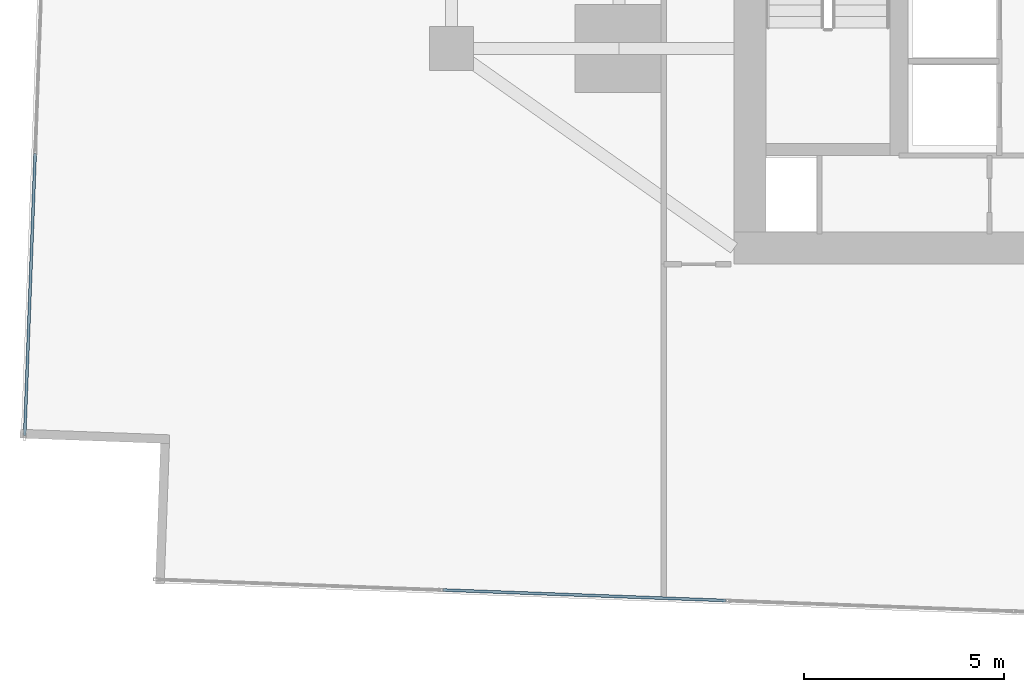
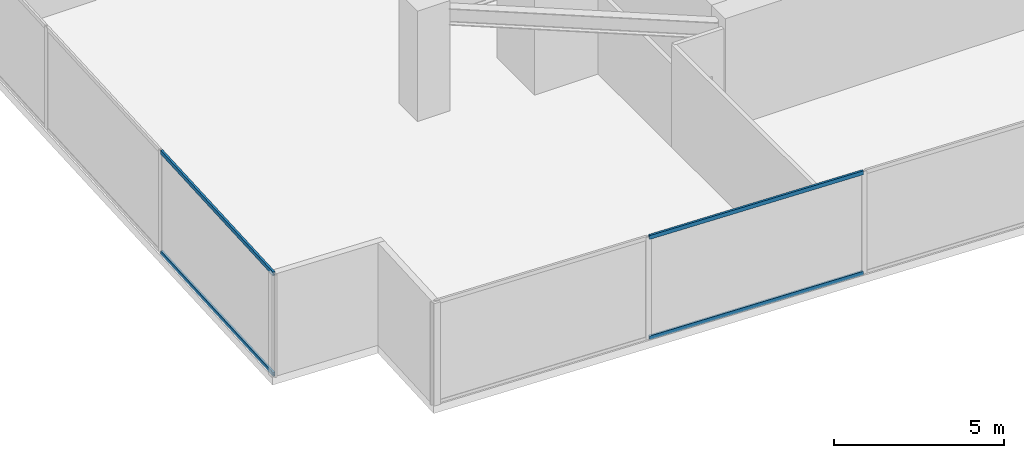
# One storey, part 3 of 30: 4 members, 2 elements without a shape of their own.
"""IFC4 building model written with IfcOpenShell, lengths in metres."""

from ifc_helpers import new_model, si_unit, direction, frame, origin, origin_2d, place, context, subcontext, project, spatial, hollow_rectangle, extrude, source, transform, mapped, material, material_profile, profile_set, type_object, type_shapes, element, aggregate, save


model = new_model("IFC4")

# Units and contexts
model_context = context("Model", 3, precision=1e-05, world=origin(), true_north=direction((0.0, 1.0)))
body_context = subcontext(model_context, "Body", "Model", "MODEL_VIEW")
ifc_project = project(units=[si_unit("LENGTHUNIT", "METRE"), si_unit("AREAUNIT", "SQUARE_METRE"), si_unit("VOLUMEUNIT", "CUBIC_METRE"), si_unit("PLANEANGLEUNIT", "RADIAN"), si_unit("MASSUNIT", "GRAM", prefix="KILO")], contexts=[model_context])

# Site, building, storey
site_placement = place(None, origin())
site = spatial("IfcSite", under=ifc_project, at=site_placement, CompositionType="ELEMENT")
building_placement = place(site_placement, origin())
building = spatial("IfcBuilding", under=site, at=building_placement, Name="Krantzveldt Concourse Tower", CompositionType="ELEMENT")
storey_placement = place(building_placement, frame((0.0, 0.0, 44.75)))
storey = spatial("IfcBuildingStorey", under=building, at=storey_placement, Name="L10", CompositionType="ELEMENT", Elevation=44.75)

# Curtain wall, members
ifc_material = material(Name="Anodised aluminium 6063-T6", Category="aluminium")
curtain_wall_type = type_object("IfcCurtainWallType", Name="CW2", PredefinedType="USERDEFINED", material=ifc_material)
curtain_wall_1_placement = place(storey_placement, origin())
curtain_wall_1 = element("IfcCurtainWall", 1, at=curtain_wall_1_placement, inside=storey, type_object=curtain_wall_type, Name="CW-L10-F01", ObjectType="UNITISED CURTAIN WALL", PredefinedType="USERDEFINED")
ifc_material_profile = material_profile(ifc_material, hollow_rectangle(XDim=0.070068359375, YDim=0.139892578125, WallThickness=0.0048828125, at=origin_2d()), Name="Anodised aluminium 6063-T6", Category="aluminium")
ifc_profile_set = profile_set([ifc_material_profile], Name="Anodised aluminium 6063-T6 - ALU-TRAN 140x70x5")
member_type = type_object("IfcMemberType", Name="CW-TRN-150", PredefinedType="USERDEFINED", material=ifc_profile_set)
shared_shape_1 = source(origin(), body_context, "Body", "SweptSolid", [
    extrude(hollow_rectangle(XDim=0.070068359375, YDim=0.139892578125, WallThickness=0.0048828125, at=origin_2d()), origin(), (0.0, 0.0, 1.0), 7.0615234375),
])
member_1_placement = place(storey_placement, frame((10.574462890625, 13.26513671875, 0.034912109375), z_axis=(-0.037097336281, -0.999311656912, 0.0), x_axis=(0.999311656912, -0.037097336281, 0.0)))
member_1 = element("IfcMember", 2, at=member_1_placement, type_object=member_type, Name="CW-Z12 transom 6.1", ObjectType="TRANSOM", PredefinedType="USERDEFINED", context=body_context, shape_type="MappedRepresentation", body=[
    mapped(shared_shape_1, transform((0.0, 0.0, 0.0), x_axis=(1.0, 0.0, 0.0), y_axis=(0.0, 1.0, 0.0), z_axis=(0.0, 0.0, 1.0), scale=1.0)),
])
member_2_placement = place(storey_placement, frame((10.574462890625, 13.26513671875, 3.635009765625), z_axis=(-0.037097336281, -0.999311656912, 0.0), x_axis=(0.999311656912, -0.037097336281, 0.0)))
member_2 = element("IfcMember", 3, at=member_2_placement, type_object=member_type, Name="CW-Z12 transom 6.2", ObjectType="TRANSOM", PredefinedType="USERDEFINED", context=body_context, shape_type="MappedRepresentation", body=[
    mapped(shared_shape_1, transform((0.0, 0.0, 0.0), x_axis=(1.0, 0.0, 0.0), y_axis=(0.0, 1.0, 0.0), z_axis=(0.0, 0.0, 1.0), scale=1.0)),
])
aggregate(curtain_wall_1, [member_1, member_2])

curtain_wall_2_placement = place(storey_placement, origin())
curtain_wall_2 = element("IfcCurtainWall", 4, at=curtain_wall_2_placement, inside=storey, type_object=curtain_wall_type, Name="CW-L10-F04", ObjectType="UNITISED CURTAIN WALL", PredefinedType="USERDEFINED")
shared_shape_2 = source(origin(), body_context, "Body", "SweptSolid", [
    extrude(hollow_rectangle(XDim=0.070068359375, YDim=0.139892578125, WallThickness=0.0048828125, at=origin_2d()), origin(), (0.0, 0.0, 1.0), 7.0966796875),
])
type_shapes(member_type, [shared_shape_1, shared_shape_2])
member_3_placement = place(storey_placement, frame((20.787841796875, 2.33740234375, 0.034912109375), z_axis=(0.999312097724, -0.037085459975, 0.0), x_axis=(0.037085459975, 0.999312097724, 0.0)))
member_3 = element("IfcMember", 5, at=member_3_placement, type_object=member_type, Name="CW-Z12 transom 2.1", ObjectType="TRANSOM", PredefinedType="USERDEFINED", context=body_context, shape_type="MappedRepresentation", body=[
    mapped(shared_shape_2, transform((0.0, 0.0, 0.0), x_axis=(1.0, 0.0, 0.0), y_axis=(0.0, 1.0, 0.0), z_axis=(0.0, 0.0, 1.0), scale=1.0)),
])
member_4_placement = place(storey_placement, frame((20.787841796875, 2.33740234375, 3.635009765625), z_axis=(0.999312097724, -0.037085459975, 0.0), x_axis=(0.037085459975, 0.999312097724, 0.0)))
member_4 = element("IfcMember", 6, at=member_4_placement, type_object=member_type, Name="CW-Z12 transom 2.2", ObjectType="TRANSOM", PredefinedType="USERDEFINED", context=body_context, shape_type="MappedRepresentation", body=[
    mapped(shared_shape_2, transform((0.0, 0.0, 0.0), x_axis=(1.0, 0.0, 0.0), y_axis=(0.0, 1.0, 0.0), z_axis=(0.0, 0.0, 1.0), scale=1.0)),
])
aggregate(curtain_wall_2, [member_3, member_4])

save(model, "model.ifc")
